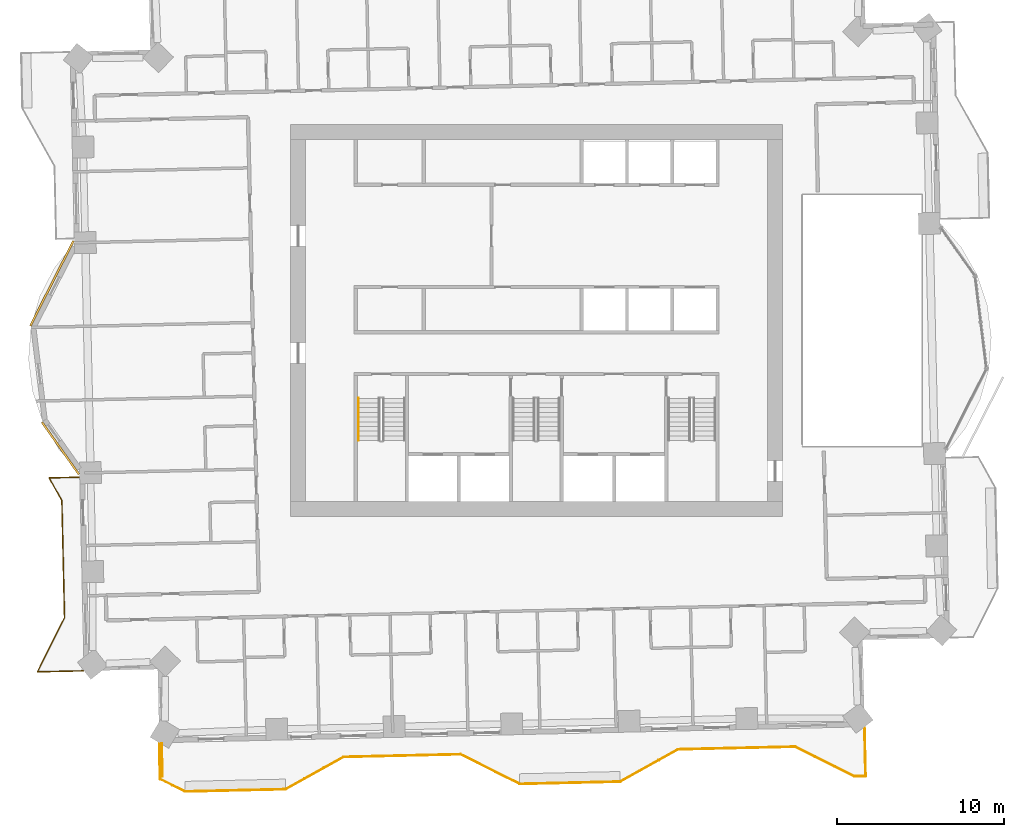
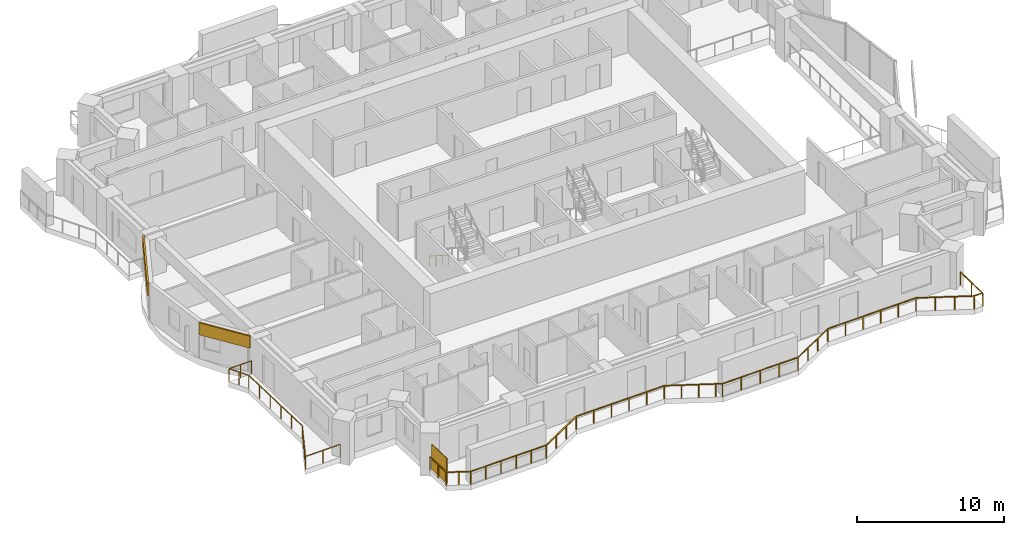
# One storey, part 13 of 16: 3 railings, 2 coverings, 1 shading device.
"""IFC4 building model written with IfcOpenShell, lengths in metres."""

from ifc_helpers import new_model, si_unit, direction, frame, frame_2d, origin, origin_2d, place, context, subcontext, project, spatial, rectangle, circle, extrude, material, layer, layer_set, type_object, element, save


model = new_model("IFC4")

# Units and contexts
model_context = context("Model", 3, precision=1e-05, world=origin(), true_north=direction((0.0, 1.0)))
body_context = subcontext(model_context, "Body", "Model", "MODEL_VIEW")
ifc_project = project(units=[si_unit("LENGTHUNIT", "METRE"), si_unit("AREAUNIT", "SQUARE_METRE"), si_unit("VOLUMEUNIT", "CUBIC_METRE"), si_unit("PLANEANGLEUNIT", "RADIAN"), si_unit("MASSUNIT", "GRAM", prefix="KILO")], contexts=[model_context])

# Site, building, storey
site_placement = place(None, origin())
site = spatial("IfcSite", under=ifc_project, at=site_placement, CompositionType="ELEMENT")
building_placement = place(site_placement, origin())
building = spatial("IfcBuilding", under=site, at=building_placement, Name="Mangrove Gate Tower", CompositionType="ELEMENT")
storey_placement = place(building_placement, frame((0.0, 0.0, 144.5)))
storey = spatial("IfcBuildingStorey", under=building, at=storey_placement, Name="L36", CompositionType="ELEMENT", Elevation=144.5)

# Railings
ifc_material_1 = material(Name="Stainless steel grade 316 with laminated glass infill", Category="steel")
railing_type_1 = type_object("IfcRailingType", Name="Balcony guard 1100", PredefinedType="GUARDRAIL", material=ifc_material_1)
railing_1_placement = place(storey_placement, frame((-27.343994140625, -9.361083984375, 0.0)))
element("IfcRailing", 1, at=railing_1_placement, inside=storey, type_object=railing_type_1, Name="GUARD L36 W2", PredefinedType="GUARDRAIL", context=body_context, shape_type="SweptSolid", body=[
    extrude(rectangle(XDim=0.048095703125, YDim=0.048095703125, at=origin_2d()), frame((0.0, 0.0, 1.076171875), z_axis=(-0.999736374059, -0.02296045261, 0.0), x_axis=(0.02296045261, -0.999736374059, 0.0)), (0.0, 0.0, 1.0), 1.786376953125),
    extrude(rectangle(XDim=0.048095703125, YDim=0.048095703125, at=origin_2d()), frame((-1.785888671875, -0.041015625, 1.076171875), z_axis=(0.487321616533, -0.873222561584, 0.0), x_axis=(0.873222561584, 0.487321616533, 0.0)), (0.0, 0.0, 1.0), 1.55517578125),
    extrude(rectangle(XDim=0.048095703125, YDim=0.048095703125, at=origin_2d()), frame((-1.028076171875, -1.39892578125, 1.076171875), z_axis=(0.022740419861, -0.999741403216, 0.0), x_axis=(0.999741403216, 0.022740419861, 0.0)), (0.0, 0.0, 1.0), 6.999755859375),
    extrude(rectangle(XDim=0.048095703125, YDim=0.048095703125, at=origin_2d()), frame((-0.868896484375, -8.39697265625, 1.076171875), z_axis=(-0.447348496473, -0.894359727796, 0.0), x_axis=(0.894359727796, -0.447348496473, 0.0)), (0.0, 0.0, 1.0), 3.619384765625),
    extrude(rectangle(XDim=0.048095703125, YDim=0.048095703125, at=origin_2d()), frame((-2.488037109375, -11.634033203125, 1.076171875), z_axis=(0.999746032414, 0.022535986176, 0.0), x_axis=(-0.022535986176, 0.999746032414, 0.0)), (0.0, 0.0, 1.0), 2.751708984375),
    extrude(rectangle(XDim=0.0419921875, YDim=0.0419921875, at=origin_2d()), origin(), (0.0, 0.0, 1.0), 1.052001953125),
    extrude(rectangle(XDim=0.0419921875, YDim=0.0419921875, at=origin_2d()), frame((-0.89306640625, -0.0205078125, 0.0)), (0.0, 0.0, 1.0), 1.052001953125),
    extrude(rectangle(XDim=0.0419921875, YDim=0.0419921875, at=origin_2d()), frame((-1.785888671875, -0.041015625, 0.0)), (0.0, 0.0, 1.0), 1.052001953125),
    extrude(rectangle(XDim=0.0419921875, YDim=0.0419921875, at=origin_2d()), frame((-1.406982421875, -0.719970703125, 0.0)), (0.0, 0.0, 1.0), 1.052001953125),
    extrude(rectangle(XDim=0.0419921875, YDim=0.0419921875, at=origin_2d()), frame((-1.028076171875, -1.39892578125, 0.0)), (0.0, 0.0, 1.0), 1.052001953125),
    extrude(rectangle(XDim=0.0419921875, YDim=0.0419921875, at=origin_2d()), frame((-0.996337890625, -2.798583984375, 0.0)), (0.0, 0.0, 1.0), 1.052001953125),
    extrude(rectangle(XDim=0.0419921875, YDim=0.0419921875, at=origin_2d()), frame((-0.96435546875, -4.1982421875, 0.0)), (0.0, 0.0, 1.0), 1.052001953125),
    extrude(rectangle(XDim=0.0419921875, YDim=0.0419921875, at=origin_2d()), frame((-0.9326171875, -5.59765625, 0.0)), (0.0, 0.0, 1.0), 1.052001953125),
    extrude(rectangle(XDim=0.0419921875, YDim=0.0419921875, at=origin_2d()), frame((-0.900634765625, -6.997314453125, 0.0)), (0.0, 0.0, 1.0), 1.052001953125),
    extrude(rectangle(XDim=0.0419921875, YDim=0.0419921875, at=origin_2d()), frame((-0.868896484375, -8.39697265625, 0.0)), (0.0, 0.0, 1.0), 1.052001953125),
    extrude(rectangle(XDim=0.0419921875, YDim=0.0419921875, at=origin_2d()), frame((-1.40869140625, -9.47607421875, 0.0)), (0.0, 0.0, 1.0), 1.052001953125),
    extrude(rectangle(XDim=0.0419921875, YDim=0.0419921875, at=origin_2d()), frame((-1.9482421875, -10.554931640625, 0.0)), (0.0, 0.0, 1.0), 1.052001953125),
    extrude(rectangle(XDim=0.0419921875, YDim=0.0419921875, at=origin_2d()), frame((-2.488037109375, -11.634033203125, 0.0)), (0.0, 0.0, 1.0), 1.052001953125),
    extrude(rectangle(XDim=0.0419921875, YDim=0.0419921875, at=origin_2d()), frame((-1.112548828125, -11.60302734375, 0.0)), (0.0, 0.0, 1.0), 1.052001953125),
    extrude(rectangle(XDim=0.0419921875, YDim=0.0419921875, at=origin_2d()), frame((0.262939453125, -11.572021484375, 0.0)), (0.0, 0.0, 1.0), 1.052001953125),
])
railing_2_placement = place(storey_placement, frame((-22.541015625, -25.27099609375, 0.0)))
element("IfcRailing", 2, at=railing_2_placement, inside=storey, type_object=railing_type_1, Name="GUARD L36 S1", PredefinedType="GUARDRAIL", context=body_context, shape_type="SweptSolid", body=[
    extrude(rectangle(XDim=0.048095703125, YDim=0.048095703125, at=origin_2d()), frame((0.0, 0.0, 1.076171875), z_axis=(0.022552375539, -0.999745662835, 0.0), x_axis=(0.999745662835, 0.022552375539, 0.0)), (0.0, 0.0, 1.0), 2.132568359375),
    extrude(rectangle(XDim=0.048095703125, YDim=0.048095703125, at=origin_2d()), frame((0.048095703125, -2.132080078125, 1.076171875), z_axis=(0.894573818385, -0.446920220465, 0.0), x_axis=(0.446920220465, 0.894573818385, 0.0)), (0.0, 0.0, 1.0), 1.66455078125),
    extrude(rectangle(XDim=0.048095703125, YDim=0.048095703125, at=origin_2d()), frame((1.537109375, -2.8759765625, 1.076171875), z_axis=(0.999743178102, 0.022662255828, 0.0), x_axis=(-0.022662255828, 0.999743178102, 0.0)), (0.0, 0.0, 1.0), 6.00048828125),
    extrude(rectangle(XDim=0.048095703125, YDim=0.048095703125, at=origin_2d()), frame((7.5361328125, -2.739990234375, 1.076171875), z_axis=(0.873242256246, 0.487286324359, 0.0), x_axis=(-0.487286324359, 0.873242256246, 0.0)), (0.0, 0.0, 1.0), 3.95849609375),
    extrude(rectangle(XDim=0.048095703125, YDim=0.048095703125, at=origin_2d()), frame((10.992919921875, -0.81103515625, 1.076171875), z_axis=(0.999742195543, 0.022705559911, 0.0), x_axis=(-0.022705559911, 0.999742195543, 0.0)), (0.0, 0.0, 1.0), 6.999755859375),
    extrude(rectangle(XDim=0.048095703125, YDim=0.048095703125, at=origin_2d()), frame((17.990966796875, -0.652099609375, 1.076171875), z_axis=(0.894441117248, -0.44718574192, 0.0), x_axis=(0.44718574192, 0.894441117248, 0.0)), (0.0, 0.0, 1.0), 3.506103515625),
    extrude(rectangle(XDim=0.048095703125, YDim=0.048095703125, at=origin_2d()), frame((21.126953125, -2.219970703125, 1.076171875), z_axis=(0.894750555602, -0.446566280915, 0.0), x_axis=(0.446566280915, 0.894750555602, 0.0)), (0.0, 0.0, 1.0), 0.45263671875),
    extrude(rectangle(XDim=0.048095703125, YDim=0.048095703125, at=origin_2d()), frame((21.531982421875, -2.422119140625, 1.076171875), z_axis=(0.999742171567, 0.022706615587, 0.0), x_axis=(-0.022706615587, 0.999742171567, 0.0)), (0.0, 0.0, 1.0), 5.99951171875),
    extrude(rectangle(XDim=0.048095703125, YDim=0.048095703125, at=origin_2d()), frame((27.530029296875, -2.285888671875, 1.076171875), z_axis=(0.87325689943, 0.48726008209, 0.0), x_axis=(-0.48726008209, 0.87325689943, 0.0)), (0.0, 0.0, 1.0), 3.958740234375),
    extrude(rectangle(XDim=0.048095703125, YDim=0.048095703125, at=origin_2d()), frame((30.987060546875, -0.35693359375, 1.076171875), z_axis=(0.999742267452, 0.022702393474, 0.0), x_axis=(-0.022702393474, 0.999742267452, 0.0)), (0.0, 0.0, 1.0), 7.000732421875),
    extrude(rectangle(XDim=0.048095703125, YDim=0.048095703125, at=origin_2d()), frame((37.986083984375, -0.197998046875, 1.076171875), z_axis=(0.894377854182, -0.447312255532, 0.0), x_axis=(0.447312255532, 0.894377854182, 0.0)), (0.0, 0.0, 1.0), 3.959228515625),
    extrude(rectangle(XDim=0.048095703125, YDim=0.048095703125, at=origin_2d()), frame((41.527099609375, -1.968994140625, 1.076171875), z_axis=(0.999721183676, 0.023612600632, 0.0), x_axis=(-0.023612600632, 0.999721183676, 0.0)), (0.0, 0.0, 1.0), 0.672119140625),
    extrude(rectangle(XDim=0.048095703125, YDim=0.048095703125, at=origin_2d()), frame((42.198974609375, -1.953125, 1.076171875), z_axis=(-0.022652795902, 0.999743392495, 0.0), x_axis=(-0.999743392495, -0.022652795902, 0.0)), (0.0, 0.0, 1.0), 2.909912109375),
    extrude(rectangle(XDim=0.0419921875, YDim=0.0419921875, at=origin_2d()), origin(), (0.0, 0.0, 1.0), 1.052001953125),
    extrude(rectangle(XDim=0.0419921875, YDim=0.0419921875, at=origin_2d()), frame((0.02392578125, -1.06591796875, 0.0)), (0.0, 0.0, 1.0), 1.052001953125),
    extrude(rectangle(XDim=0.0419921875, YDim=0.0419921875, at=origin_2d()), frame((0.048095703125, -2.132080078125, 0.0)), (0.0, 0.0, 1.0), 1.052001953125),
    extrude(rectangle(XDim=0.0419921875, YDim=0.0419921875, at=origin_2d()), frame((0.79248046875, -2.50390625, 0.0)), (0.0, 0.0, 1.0), 1.052001953125),
    extrude(rectangle(XDim=0.0419921875, YDim=0.0419921875, at=origin_2d()), frame((1.537109375, -2.8759765625, 0.0)), (0.0, 0.0, 1.0), 1.052001953125),
    extrude(rectangle(XDim=0.0419921875, YDim=0.0419921875, at=origin_2d()), frame((2.73681640625, -2.848876953125, 0.0)), (0.0, 0.0, 1.0), 1.052001953125),
    extrude(rectangle(XDim=0.0419921875, YDim=0.0419921875, at=origin_2d()), frame((3.936767578125, -2.821533203125, 0.0)), (0.0, 0.0, 1.0), 1.052001953125),
    extrude(rectangle(XDim=0.0419921875, YDim=0.0419921875, at=origin_2d()), frame((5.136474609375, -2.79443359375, 0.0)), (0.0, 0.0, 1.0), 1.052001953125),
    extrude(rectangle(XDim=0.0419921875, YDim=0.0419921875, at=origin_2d()), frame((6.33642578125, -2.76708984375, 0.0)), (0.0, 0.0, 1.0), 1.052001953125),
    extrude(rectangle(XDim=0.0419921875, YDim=0.0419921875, at=origin_2d()), frame((7.5361328125, -2.739990234375, 0.0)), (0.0, 0.0, 1.0), 1.052001953125),
    extrude(rectangle(XDim=0.0419921875, YDim=0.0419921875, at=origin_2d()), frame((8.6884765625, -2.096923828125, 0.0)), (0.0, 0.0, 1.0), 1.052001953125),
    extrude(rectangle(XDim=0.0419921875, YDim=0.0419921875, at=origin_2d()), frame((9.840576171875, -1.4541015625, 0.0)), (0.0, 0.0, 1.0), 1.052001953125),
    extrude(rectangle(XDim=0.0419921875, YDim=0.0419921875, at=origin_2d()), frame((10.992919921875, -0.81103515625, 0.0)), (0.0, 0.0, 1.0), 1.052001953125),
    extrude(rectangle(XDim=0.0419921875, YDim=0.0419921875, at=origin_2d()), frame((12.392578125, -0.779296875, 0.0)), (0.0, 0.0, 1.0), 1.052001953125),
    extrude(rectangle(XDim=0.0419921875, YDim=0.0419921875, at=origin_2d()), frame((13.792236328125, -0.74755859375, 0.0)), (0.0, 0.0, 1.0), 1.052001953125),
    extrude(rectangle(XDim=0.0419921875, YDim=0.0419921875, at=origin_2d()), frame((15.191650390625, -0.715576171875, 0.0)), (0.0, 0.0, 1.0), 1.052001953125),
    extrude(rectangle(XDim=0.0419921875, YDim=0.0419921875, at=origin_2d()), frame((16.59130859375, -0.683837890625, 0.0)), (0.0, 0.0, 1.0), 1.052001953125),
    extrude(rectangle(XDim=0.0419921875, YDim=0.0419921875, at=origin_2d()), frame((17.990966796875, -0.652099609375, 0.0)), (0.0, 0.0, 1.0), 1.052001953125),
    extrude(rectangle(XDim=0.0419921875, YDim=0.0419921875, at=origin_2d()), frame((19.036376953125, -1.1748046875, 0.0)), (0.0, 0.0, 1.0), 1.052001953125),
    extrude(rectangle(XDim=0.0419921875, YDim=0.0419921875, at=origin_2d()), frame((20.08154296875, -1.697265625, 0.0)), (0.0, 0.0, 1.0), 1.052001953125),
    extrude(rectangle(XDim=0.0419921875, YDim=0.0419921875, at=origin_2d()), frame((21.126953125, -2.219970703125, 0.0)), (0.0, 0.0, 1.0), 1.052001953125),
    extrude(rectangle(XDim=0.0419921875, YDim=0.0419921875, at=origin_2d()), frame((21.531982421875, -2.422119140625, 0.0)), (0.0, 0.0, 1.0), 1.052001953125),
    extrude(rectangle(XDim=0.0419921875, YDim=0.0419921875, at=origin_2d()), frame((23.031494140625, -2.38818359375, 0.0)), (0.0, 0.0, 1.0), 1.052001953125),
    extrude(rectangle(XDim=0.0419921875, YDim=0.0419921875, at=origin_2d()), frame((24.531005859375, -2.35400390625, 0.0)), (0.0, 0.0, 1.0), 1.052001953125),
    extrude(rectangle(XDim=0.0419921875, YDim=0.0419921875, at=origin_2d()), frame((26.030517578125, -2.31982421875, 0.0)), (0.0, 0.0, 1.0), 1.052001953125),
    extrude(rectangle(XDim=0.0419921875, YDim=0.0419921875, at=origin_2d()), frame((27.530029296875, -2.285888671875, 0.0)), (0.0, 0.0, 1.0), 1.052001953125),
    extrude(rectangle(XDim=0.0419921875, YDim=0.0419921875, at=origin_2d()), frame((28.682373046875, -1.642822265625, 0.0)), (0.0, 0.0, 1.0), 1.052001953125),
    extrude(rectangle(XDim=0.0419921875, YDim=0.0419921875, at=origin_2d()), frame((29.834716796875, -1.0, 0.0)), (0.0, 0.0, 1.0), 1.052001953125),
    extrude(rectangle(XDim=0.0419921875, YDim=0.0419921875, at=origin_2d()), frame((30.987060546875, -0.35693359375, 0.0)), (0.0, 0.0, 1.0), 1.052001953125),
    extrude(rectangle(XDim=0.0419921875, YDim=0.0419921875, at=origin_2d()), frame((32.386962890625, -0.3251953125, 0.0)), (0.0, 0.0, 1.0), 1.052001953125),
    extrude(rectangle(XDim=0.0419921875, YDim=0.0419921875, at=origin_2d()), frame((33.78662109375, -0.29345703125, 0.0)), (0.0, 0.0, 1.0), 1.052001953125),
    extrude(rectangle(XDim=0.0419921875, YDim=0.0419921875, at=origin_2d()), frame((35.1865234375, -0.261474609375, 0.0)), (0.0, 0.0, 1.0), 1.052001953125),
    extrude(rectangle(XDim=0.0419921875, YDim=0.0419921875, at=origin_2d()), frame((36.586181640625, -0.229736328125, 0.0)), (0.0, 0.0, 1.0), 1.052001953125),
    extrude(rectangle(XDim=0.0419921875, YDim=0.0419921875, at=origin_2d()), frame((37.986083984375, -0.197998046875, 0.0)), (0.0, 0.0, 1.0), 1.052001953125),
    extrude(rectangle(XDim=0.0419921875, YDim=0.0419921875, at=origin_2d()), frame((39.16650390625, -0.788330078125, 0.0)), (0.0, 0.0, 1.0), 1.052001953125),
    extrude(rectangle(XDim=0.0419921875, YDim=0.0419921875, at=origin_2d()), frame((40.3466796875, -1.378662109375, 0.0)), (0.0, 0.0, 1.0), 1.052001953125),
    extrude(rectangle(XDim=0.0419921875, YDim=0.0419921875, at=origin_2d()), frame((41.527099609375, -1.968994140625, 0.0)), (0.0, 0.0, 1.0), 1.052001953125),
    extrude(rectangle(XDim=0.0419921875, YDim=0.0419921875, at=origin_2d()), frame((42.198974609375, -1.953125, 0.0)), (0.0, 0.0, 1.0), 1.052001953125),
    extrude(rectangle(XDim=0.0419921875, YDim=0.0419921875, at=origin_2d()), frame((42.166015625, -0.49853515625, 0.0)), (0.0, 0.0, 1.0), 1.052001953125),
    extrude(rectangle(XDim=0.0419921875, YDim=0.0419921875, at=origin_2d()), frame((42.133056640625, 0.9560546875, 0.0)), (0.0, 0.0, 1.0), 1.052001953125),
])

# Shading device
ifc_material_2 = material(Name="Timber slat screen in teak", Category="wood")
shading_device_type = type_object("IfcShadingDeviceType", Name="Balcony screen 2100", PredefinedType="USERDEFINED", material=ifc_material_2)
shading_device_placement = place(storey_placement, frame((-22.37890625, -26.25390625, 0.0), z_axis=(0.0, 0.0, 1.0), x_axis=(0.022600089485, -0.999744585359, 0.0)))
element("IfcShadingDevice", 3, at=shading_device_placement, inside=storey, type_object=shading_device_type, Name="SCREEN L36 S0", ObjectType="SCREEN", PredefinedType="USERDEFINED", context=body_context, shape_type="SweptSolid", body=[
    extrude(rectangle(XDim=2.012939453125, YDim=0.050048828125, at=origin_2d()), origin(), (0.0, 0.0, 1.0), 2.10009765625),
])

# Railing
ifc_material_3 = material(Name="Stainless steel 316", Category="steel")
railing_type_2 = type_object("IfcRailingType", Name="Core stair handrail 900", PredefinedType="HANDRAIL", material=ifc_material_3)
railing_3_placement = place(storey_placement, frame((-10.64990234375, -4.64990234375, 0.179931640625)))
element("IfcRailing", 4, at=railing_3_placement, inside=storey, type_object=railing_type_2, Name="L36 ST1 stair handrail 1", PredefinedType="HANDRAIL", context=body_context, shape_type="SweptSolid", body=[
    extrude(circle(Radius=0.02392578125, at=origin_2d()), frame((0.0, 0.0, 0.8759765625), z_axis=(0.0, -0.841162588446, 0.540782303519), x_axis=(1.0, 0.0, 0.0)), (0.0, 0.0, 1.0), 2.995849609375),
    extrude(circle(Radius=0.02099609375, at=origin_2d()), origin(), (0.0, 0.0, 1.0), 0.851806640625),
    extrude(circle(Radius=0.02099609375, at=origin_2d()), frame((0.0, -0.840087890625, 0.5400390625)), (0.0, 0.0, 1.0), 0.851806640625),
    extrude(circle(Radius=0.02099609375, at=origin_2d()), frame((0.0, -1.679931640625, 1.080078125)), (0.0, 0.0, 1.0), 0.851806640625),
    extrude(circle(Radius=0.02099609375, at=origin_2d()), frame((0.0, -2.52001953125, 1.6201171875)), (0.0, 0.0, 1.0), 0.851806640625),
])

# Coverings
ifc_material_4 = material(Name="Limestone", Category="masonry")
ifc_layer_1 = layer(ifc_material_4, 0.0400390625, Name="Limestone cladding")
ifc_material_5 = material(Name="Stainless steel anchors and cavity", Category="steel")
ifc_layer_2 = layer(ifc_material_5, 0.080078125, Name="Fixing cavity")
ifc_layer_set = layer_set([ifc_layer_1, ifc_layer_2], Name="Joint fascia cladding 120")
covering_type = type_object("IfcCoveringType", Name="Joint fascia cladding 120", PredefinedType="CLADDING", material=ifc_layer_set)
covering_1_placement = place(storey_placement, frame((-27.67431640625, 4.759521484375, 2.050048828125), z_axis=(0.0, 0.0, 1.0), x_axis=(-0.452615399326, -0.89170583731, 0.0)))
element("IfcCovering", 5, at=covering_1_placement, inside=storey, type_object=covering_type, Name="STONE FASCIA L36 W9.L1", PredefinedType="CLADDING", context=body_context, shape_type="SweptSolid", body=[
    extrude(rectangle(XDim=5.7041015625, YDim=0.1201171875, at=frame_2d((2.85205078125, 0.0))), origin(), (0.0, 0.0, 1.0), 1.0),
])
covering_2_placement = place(storey_placement, frame((-29.55908203125, -6.074951171875, 2.050048828125), z_axis=(0.0, 0.0, 1.0), x_axis=(0.578168098379, -0.815917673553, 0.0)))
element("IfcCovering", 6, at=covering_2_placement, inside=storey, type_object=covering_type, Name="STONE FASCIA L36 W9.L2", PredefinedType="CLADDING", context=body_context, shape_type="SweptSolid", body=[
    extrude(rectangle(XDim=3.819091796875, YDim=0.1201171875, at=frame_2d((1.90966796875, 0.0))), origin(), (0.0, 0.0, 1.0), 1.0),
])

save(model, "model.ifc")
